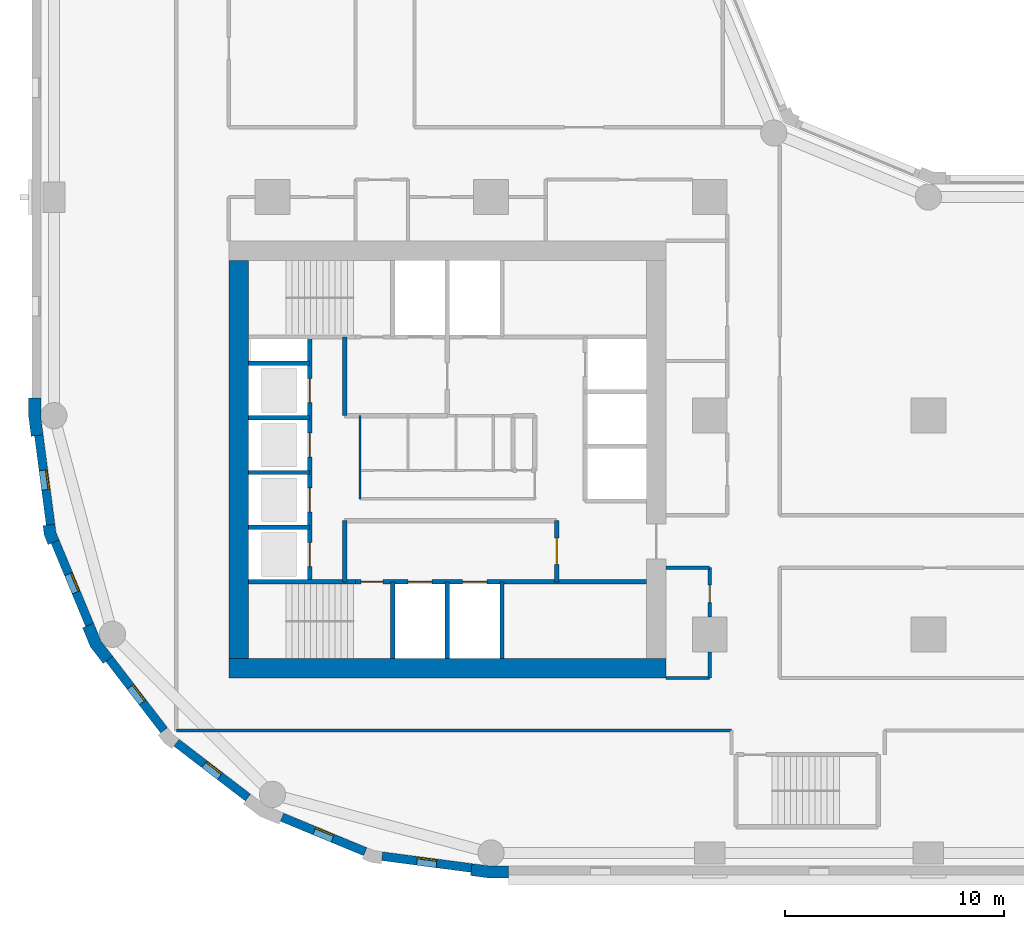
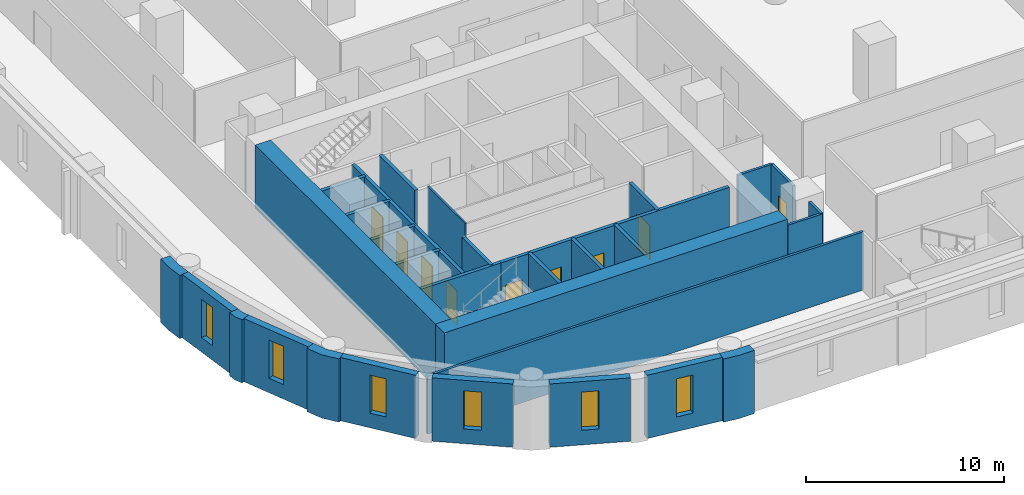
# One storey, part 2 of 10: 31 walls, 9 doors, 6 windows, 15 openings.
"""IFC4 building model written with IfcOpenShell, lengths in metres."""

from ifc_helpers import new_model, si_unit, direction, frame, frame_2d, origin, place, context, subcontext, project, spatial, polyline, rectangle, outline, extrude, material, layer, layer_set, type_object, element, fill, save


model = new_model("IFC4")

# Units and contexts
model_context = context("Model", 3, precision=1e-05, world=origin(), true_north=direction((0.0, 1.0)))
body_context = subcontext(model_context, "Body", "Model", "MODEL_VIEW")
ifc_project = project(units=[si_unit("LENGTHUNIT", "METRE"), si_unit("AREAUNIT", "SQUARE_METRE"), si_unit("VOLUMEUNIT", "CUBIC_METRE"), si_unit("PLANEANGLEUNIT", "RADIAN"), si_unit("MASSUNIT", "GRAM", prefix="KILO")], contexts=[model_context])

# Site, building, storey
site_placement = place(None, origin())
site = spatial("IfcSite", under=ifc_project, at=site_placement, CompositionType="ELEMENT")
building_placement = place(site_placement, origin())
building = spatial("IfcBuilding", under=site, at=building_placement, Name="Qaws Garden Tower", CompositionType="ELEMENT")
storey_placement = place(building_placement, frame((0.0, 0.0, 35.39990234375)))
storey = spatial("IfcBuildingStorey", under=building, at=storey_placement, Name="L08", CompositionType="ELEMENT", Elevation=35.39990234375)

# Wall, opening, window
ifc_material_1 = material(Name="Clay facing brick masonry", Category="masonry")
ifc_layer_1 = layer(ifc_material_1, 0.39990234375)
ifc_layer_set_1 = layer_set([ifc_layer_1], Name="Clay facing brick masonry")
wall_type_1 = type_object("IfcWallType", Name="Brick infill wall 400", PredefinedType="SOLIDWALL", material=ifc_layer_set_1)
wall_1_placement = place(storey_placement, frame((-0.688720703125, 19.102294921875, 0.0), z_axis=(0.0, 0.0, 1.0), x_axis=(0.130514280502, -0.991446429508, 0.0)))
wall_1 = element("IfcWall", 1, at=wall_1_placement, inside=storey, type_object=wall_type_1, Name="E-L08-infill-27", PredefinedType="SOLIDWALL", context=body_context, shape_type="SweptSolid", body=[
    extrude(rectangle(XDim=4.120849609375, YDim=0.39990234375, at=frame_2d((2.060546875, 0.0))), origin(), (0.0, 0.0, 1.0), 3.900146484375),
])
opening_1_placement = place(wall_1_placement, frame((1.610595703125, 0.0, 0.89990234375)))
opening_1 = element("IfcOpeningElement", 2, at=opening_1_placement, cuts=wall_1, Name="Opening W09", PredefinedType="OPENING", context=body_context, shape_type="SweptSolid", body=[
    extrude(rectangle(XDim=0.89990234375, YDim=2.35009765625, at=frame_2d((0.449951171875, 1.175048828125))), frame((0.0, 0.2099609375, 0.0), z_axis=(0.0, -1.0, 0.0), x_axis=(1.0, 0.0, 0.0)), (0.0, 0.0, 1.0), 0.419921875),
])
ifc_material_2 = material(Name="Aluminium framed window, clear glazing", Category="aluminium")
window_type = type_object("IfcWindowType", Name="Slit window 900 x 2350", PartitioningType="SINGLE_PANEL", PredefinedType="WINDOW", material=ifc_material_2)
window_1_placement = place(opening_1_placement, origin())
window_1 = element("IfcWindow", 3, at=window_1_placement, inside=storey, type_object=window_type, Name="E-L08-window-27-0", OverallHeight=2.35009765625, OverallWidth=0.89990234375, PartitioningType="SINGLE_PANEL", PredefinedType="WINDOW", context=body_context, shape_type="SweptSolid", body=[
    extrude(rectangle(XDim=0.89990234375, YDim=2.35009765625, at=frame_2d((0.449951171875, 1.175048828125))), frame((0.0, 0.159912109375, 0.0), z_axis=(0.0, -1.0, 0.0), x_axis=(1.0, 0.0, 0.0)), (0.0, 0.0, 1.0), 0.06005859375),
])
fill(opening_1, window_1)

wall_2_placement = place(storey_placement, frame((0.05712890625, 14.240234375, 0.0), z_axis=(0.0, 0.0, 1.0), x_axis=(0.382721546029, -0.923863744394, 0.0)))
wall_2 = element("IfcWall", 4, at=wall_2_placement, inside=storey, type_object=wall_type_1, Name="E-L08-infill-28", PredefinedType="SOLIDWALL", context=body_context, shape_type="SweptSolid", body=[
    extrude(rectangle(XDim=4.120849609375, YDim=0.39990234375, at=frame_2d((2.060546875, 0.0))), origin(), (0.0, 0.0, 1.0), 3.900146484375),
])
opening_2_placement = place(wall_2_placement, frame((1.610595703125, 0.0, 0.89990234375)))
opening_2 = element("IfcOpeningElement", 5, at=opening_2_placement, cuts=wall_2, Name="Opening W09", PredefinedType="OPENING", context=body_context, shape_type="SweptSolid", body=[
    extrude(rectangle(XDim=0.89990234375, YDim=2.35009765625, at=frame_2d((0.449951171875, 1.175048828125))), frame((0.0, 0.2099609375, 0.0), z_axis=(0.0, -1.0, 0.0), x_axis=(1.0, 0.0, 0.0)), (0.0, 0.0, 1.0), 0.419921875),
])
window_2_placement = place(opening_2_placement, origin())
window_2 = element("IfcWindow", 6, at=window_2_placement, inside=storey, type_object=window_type, Name="E-L08-window-28-0", OverallHeight=2.35009765625, OverallWidth=0.89990234375, PartitioningType="SINGLE_PANEL", PredefinedType="WINDOW", context=body_context, shape_type="SweptSolid", body=[
    extrude(rectangle(XDim=0.89990234375, YDim=2.35009765625, at=frame_2d((0.449951171875, 1.175048828125))), frame((0.0, 0.159912109375, 0.0), z_axis=(0.0, -1.0, 0.0), x_axis=(1.0, 0.0, 0.0)), (0.0, 0.0, 1.0), 0.06005859375),
])
fill(opening_2, window_2)

wall_3_placement = place(storey_placement, frame((2.53173828125, 8.87841796875, 0.0), z_axis=(0.0, 0.0, 1.0), x_axis=(0.608759824817, -0.793354571229, 0.0)))
wall_3 = element("IfcWall", 7, at=wall_3_placement, inside=storey, type_object=wall_type_1, Name="E-L08-infill-29", PredefinedType="SOLIDWALL", context=body_context, shape_type="SweptSolid", body=[
    extrude(rectangle(XDim=4.12109375, YDim=0.39990234375, at=frame_2d((2.060546875, 0.0))), origin(), (0.0, 0.0, 1.0), 3.900146484375),
])
opening_3_placement = place(wall_3_placement, frame((1.610595703125, 0.0, 0.89990234375)))
opening_3 = element("IfcOpeningElement", 8, at=opening_3_placement, cuts=wall_3, Name="Opening W09", PredefinedType="OPENING", context=body_context, shape_type="SweptSolid", body=[
    extrude(rectangle(XDim=0.89990234375, YDim=2.35009765625, at=frame_2d((0.449951171875, 1.175048828125))), frame((0.0, 0.2099609375, 0.0), z_axis=(0.0, -1.0, 0.0), x_axis=(1.0, 0.0, 0.0)), (0.0, 0.0, 1.0), 0.419921875),
])
window_3_placement = place(opening_3_placement, origin())
window_3 = element("IfcWindow", 9, at=window_3_placement, inside=storey, type_object=window_type, Name="E-L08-window-29-0", OverallHeight=2.35009765625, OverallWidth=0.89990234375, PartitioningType="SINGLE_PANEL", PredefinedType="WINDOW", context=body_context, shape_type="SweptSolid", body=[
    extrude(rectangle(XDim=0.89990234375, YDim=2.35009765625, at=frame_2d((0.449951171875, 1.175048828125))), frame((0.0, 0.159912109375, 0.0), z_axis=(0.0, -1.0, 0.0), x_axis=(1.0, 0.0, 0.0)), (0.0, 0.0, 1.0), 0.06005859375),
])
fill(opening_3, window_3)

wall_4_placement = place(storey_placement, frame((5.60888671875, 5.04052734375, 0.0), z_axis=(0.0, 0.0, 1.0), x_axis=(0.793354571229, -0.608759824817, 0.0)))
wall_4 = element("IfcWall", 10, at=wall_4_placement, inside=storey, type_object=wall_type_1, Name="E-L08-infill-30", PredefinedType="SOLIDWALL", context=body_context, shape_type="SweptSolid", body=[
    extrude(rectangle(XDim=4.12109375, YDim=0.39990234375, at=frame_2d((2.060546875, 0.0))), origin(), (0.0, 0.0, 1.0), 3.900146484375),
])
opening_4_placement = place(wall_4_placement, frame((1.610595703125, 0.0, 0.89990234375)))
opening_4 = element("IfcOpeningElement", 11, at=opening_4_placement, cuts=wall_4, Name="Opening W09", PredefinedType="OPENING", context=body_context, shape_type="SweptSolid", body=[
    extrude(rectangle(XDim=0.89990234375, YDim=2.35009765625, at=frame_2d((0.449951171875, 1.175048828125))), frame((0.0, 0.2099609375, 0.0), z_axis=(0.0, -1.0, 0.0), x_axis=(1.0, 0.0, 0.0)), (0.0, 0.0, 1.0), 0.419921875),
])
window_4_placement = place(opening_4_placement, origin())
window_4 = element("IfcWindow", 12, at=window_4_placement, inside=storey, type_object=window_type, Name="E-L08-window-30-0", OverallHeight=2.35009765625, OverallWidth=0.89990234375, PartitioningType="SINGLE_PANEL", PredefinedType="WINDOW", context=body_context, shape_type="SweptSolid", body=[
    extrude(rectangle(XDim=0.89990234375, YDim=2.35009765625, at=frame_2d((0.449951171875, 1.175048828125))), frame((0.0, 0.159912109375, 0.0), z_axis=(0.0, -1.0, 0.0), x_axis=(1.0, 0.0, 0.0)), (0.0, 0.0, 1.0), 0.06005859375),
])
fill(opening_4, window_4)

wall_5_placement = place(storey_placement, frame((10.43310546875, 1.63427734375, 0.0), z_axis=(0.0, 0.0, 1.0), x_axis=(0.923863744394, -0.382721546029, 0.0)))
wall_5 = element("IfcWall", 13, at=wall_5_placement, inside=storey, type_object=wall_type_1, Name="E-L08-infill-31", PredefinedType="SOLIDWALL", context=body_context, shape_type="SweptSolid", body=[
    extrude(rectangle(XDim=4.120849609375, YDim=0.39990234375, at=frame_2d((2.060546875, 0.0))), origin(), (0.0, 0.0, 1.0), 3.900146484375),
])
opening_5_placement = place(wall_5_placement, frame((1.610595703125, 0.0, 0.89990234375)))
opening_5 = element("IfcOpeningElement", 14, at=opening_5_placement, cuts=wall_5, Name="Opening W09", PredefinedType="OPENING", context=body_context, shape_type="SweptSolid", body=[
    extrude(rectangle(XDim=0.89990234375, YDim=2.35009765625, at=frame_2d((0.449951171875, 1.175048828125))), frame((0.0, 0.2099609375, 0.0), z_axis=(0.0, -1.0, 0.0), x_axis=(1.0, 0.0, 0.0)), (0.0, 0.0, 1.0), 0.419921875),
])
window_5_placement = place(opening_5_placement, origin())
window_5 = element("IfcWindow", 15, at=window_5_placement, inside=storey, type_object=window_type, Name="E-L08-window-31-0", OverallHeight=2.35009765625, OverallWidth=0.89990234375, PartitioningType="SINGLE_PANEL", PredefinedType="WINDOW", context=body_context, shape_type="SweptSolid", body=[
    extrude(rectangle(XDim=0.89990234375, YDim=2.35009765625, at=frame_2d((0.449951171875, 1.175048828125))), frame((0.0, 0.159912109375, 0.0), z_axis=(0.0, -1.0, 0.0), x_axis=(1.0, 0.0, 0.0)), (0.0, 0.0, 1.0), 0.06005859375),
])
fill(opening_5, window_5)

wall_6_placement = place(storey_placement, frame((15.0166015625, -0.15087890625, 0.0), z_axis=(0.0, 0.0, 1.0), x_axis=(0.991446429508, -0.130514280502, 0.0)))
wall_6 = element("IfcWall", 16, at=wall_6_placement, inside=storey, type_object=wall_type_1, Name="E-L08-infill-32", PredefinedType="SOLIDWALL", context=body_context, shape_type="SweptSolid", body=[
    extrude(rectangle(XDim=4.120849609375, YDim=0.39990234375, at=frame_2d((2.060546875, 0.0))), origin(), (0.0, 0.0, 1.0), 3.900146484375),
])
opening_6_placement = place(wall_6_placement, frame((1.610595703125, 0.0, 0.89990234375)))
opening_6 = element("IfcOpeningElement", 17, at=opening_6_placement, cuts=wall_6, Name="Opening W09", PredefinedType="OPENING", context=body_context, shape_type="SweptSolid", body=[
    extrude(rectangle(XDim=0.89990234375, YDim=2.35009765625, at=frame_2d((0.449951171875, 1.175048828125))), frame((0.0, 0.2099609375, 0.0), z_axis=(0.0, -1.0, 0.0), x_axis=(1.0, 0.0, 0.0)), (0.0, 0.0, 1.0), 0.419921875),
])
window_6_placement = place(opening_6_placement, origin())
window_6 = element("IfcWindow", 18, at=window_6_placement, inside=storey, type_object=window_type, Name="E-L08-window-32-0", OverallHeight=2.35009765625, OverallWidth=0.89990234375, PartitioningType="SINGLE_PANEL", PredefinedType="WINDOW", context=body_context, shape_type="SweptSolid", body=[
    extrude(rectangle(XDim=0.89990234375, YDim=2.35009765625, at=frame_2d((0.449951171875, 1.175048828125))), frame((0.0, 0.159912109375, 0.0), z_axis=(0.0, -1.0, 0.0), x_axis=(1.0, 0.0, 0.0)), (0.0, 0.0, 1.0), 0.06005859375),
])
fill(opening_6, window_6)

# Walls
ifc_material_3 = material(Name="Clay facing brick masonry", Category="masonry")
ifc_layer_2 = layer(ifc_material_3, 0.550048828125)
ifc_layer_set_2 = layer_set([ifc_layer_2], Name="Clay facing brick masonry")
wall_type_2 = type_object("IfcWallType", Name="Brick kink pier 550 x 600", PredefinedType="SOLIDWALL", material=ifc_layer_set_2)
placement = place(storey_placement, origin())
element("IfcWall", 19, at=placement, inside=storey, type_object=wall_type_2, Name="E-L08-pier-28", PredefinedType="SOLIDWALL", context=body_context, shape_type="SweptSolid", body=[
    extrude(outline(polyline([(-0.34912109375, 14.990478515625), (-0.497802734375, 14.970947265625), (-0.43896484375, 14.5234375), (-0.26611328125, 14.1064453125), (-0.127685546875, 14.163818359375), (0.241943359375, 14.31689453125), (0.096923828125, 14.6669921875), (0.04736328125, 15.042724609375), (-0.34912109375, 14.990478515625)])), origin(), (0.0, 0.0, 1.0), 3.900146484375),
])
ifc_material_4 = material(Name="Clay facing brick masonry", Category="masonry")
ifc_layer_3 = layer(ifc_material_4, 0.550048828125)
ifc_layer_set_3 = layer_set([ifc_layer_3], Name="Clay facing brick masonry")
wall_type_3 = type_object("IfcWallType", Name="Brick pier 550 x 1600", PredefinedType="SOLIDWALL", material=ifc_layer_set_3)
element("IfcWall", 20, at=placement, inside=storey, type_object=wall_type_3, Name="E-L08-pier-00", PredefinedType="SOLIDWALL", context=body_context, shape_type="SweptSolid", body=[
    extrude(outline(polyline([(19.076416015625, -0.886962890625), (19.056640625, -1.03564453125), (19.924560546875, -1.14990234375), (20.800048828125, -1.14990234375), (20.800048828125, -1.0), (20.800048828125, -0.60009765625), (19.960693359375, -0.60009765625), (19.12841796875, -0.490478515625), (19.076416015625, -0.886962890625)])), origin(), (0.0, 0.0, 1.0), 3.900146484375),
])
element("IfcWall", 21, at=placement, inside=storey, type_object=wall_type_3, Name="E-L08-pier-27", PredefinedType="SOLIDWALL", context=body_context, shape_type="SweptSolid", body=[
    extrude(outline(polyline([(-1.0, 20.800048828125), (-1.14990234375, 20.800048828125), (-1.14990234375, 19.924560546875), (-1.03564453125, 19.056640625), (-0.886962890625, 19.076416015625), (-0.490478515625, 19.12841796875), (-0.60009765625, 19.960693359375), (-0.60009765625, 20.800048828125), (-1.0, 20.800048828125)])), origin(), (0.0, 0.0, 1.0), 3.900146484375),
])
element("IfcWall", 22, at=placement, inside=storey, type_object=wall_type_3, Name="E-L08-pier-29", PredefinedType="SOLIDWALL", context=body_context, shape_type="SweptSolid", body=[
    extrude(outline(polyline([(1.449462890625, 10.3564453125), (1.310791015625, 10.299072265625), (1.675048828125, 9.419921875), (2.254150390625, 8.665283203125), (2.373046875, 8.756591796875), (2.6904296875, 9.0), (2.1552734375, 9.697509765625), (1.819091796875, 10.509521484375), (1.449462890625, 10.3564453125)])), origin(), (0.0, 0.0, 1.0), 3.900146484375),
])
ifc_material_5 = material(Name="Plasterboard")
ifc_layer_4 = layer(ifc_material_5, 0.10009765625)
ifc_layer_set_4 = layer_set([ifc_layer_4], Name="Plasterboard")
wall_type_4 = type_object("IfcWallType", Name="Core partition 100", PredefinedType="PARTITIONING", material=ifc_layer_set_4)
wall_11_placement = place(storey_placement, frame((14.0, 16.199951171875, 0.0), z_axis=(0.0, 0.0, 1.0), x_axis=(0.0, 1.0, 0.0)))
element("IfcWall", 23, at=wall_11_placement, inside=storey, type_object=wall_type_4, Name="Core partition", PredefinedType="PARTITIONING", context=body_context, shape_type="SweptSolid", body=[
    extrude(rectangle(XDim=3.800048828125, YDim=0.10009765625, at=frame_2d((1.89990234375, 0.0))), origin(), (0.0, 0.0, 1.0), 3.580078125),
])
ifc_material_6 = material(Name="Concrete C80", Category="concrete")
ifc_layer_5 = layer(ifc_material_6, 0.199951171875)
ifc_layer_set_5 = layer_set([ifc_layer_5], Name="Concrete C80")
wall_type_5 = type_object("IfcWallType", Name="Core shaft wall 200 C80", PredefinedType="SHEAR", material=ifc_layer_set_5)
wall_12_placement = place(storey_placement, frame((8.89990234375, 12.39990234375, 0.0), z_axis=(0.0, 0.0, 1.0), x_axis=(1.0, 0.0, 0.0)))
element("IfcWall", 24, at=wall_12_placement, inside=storey, type_object=wall_type_5, Name="Shaft wall", PredefinedType="SHEAR", context=body_context, shape_type="SweptSolid", body=[
    extrude(rectangle(XDim=4.900146484375, YDim=0.199951171875, at=frame_2d((2.4501953125, 0.0))), origin(), (0.0, 0.0, 1.0), 3.580078125),
])

# Wall, openings, doors
wall_13_placement = place(storey_placement, frame((13.800048828125, 12.39990234375, 0.0), z_axis=(0.0, 0.0, 1.0), x_axis=(1.0, 0.0, 0.0)))
wall_13 = element("IfcWall", 25, at=wall_13_placement, inside=storey, type_object=wall_type_5, Name="Shaft wall", PredefinedType="SHEAR", context=body_context, shape_type="SweptSolid", body=[
    extrude(rectangle(XDim=13.300048828125, YDim=0.199951171875, at=frame_2d((6.64990234375, 0.0))), origin(), (0.0, 0.0, 1.0), 3.580078125),
])
opening_7_placement = place(wall_13_placement, frame((2.39990234375, 0.0, 0.0)))
opening_7 = element("IfcOpeningElement", 26, at=opening_7_placement, cuts=wall_13, Name="Opening LD06", PredefinedType="OPENING", context=body_context, shape_type="SweptSolid", body=[
    extrude(rectangle(XDim=1.10009765625, YDim=2.10009765625, at=frame_2d((0.550048828125, 1.050048828125))), frame((0.0, 0.10986328125, 0.0), z_axis=(0.0, -1.0, 0.0), x_axis=(1.0, 0.0, 0.0)), (0.0, 0.0, 1.0), 0.219970703125),
])
opening_8_placement = place(wall_13_placement, frame((4.89990234375, 0.0, 0.0)))
opening_8 = element("IfcOpeningElement", 27, at=opening_8_placement, cuts=wall_13, Name="Opening LD07", PredefinedType="OPENING", context=body_context, shape_type="SweptSolid", body=[
    extrude(rectangle(XDim=1.10009765625, YDim=2.10009765625, at=frame_2d((0.550048828125, 1.050048828125))), frame((0.0, 0.10986328125, 0.0), z_axis=(0.0, -1.0, 0.0), x_axis=(1.0, 0.0, 0.0)), (0.0, 0.0, 1.0), 0.219970703125),
])
opening_9_placement = place(wall_13_placement, frame((0.25, 0.0, 0.0)))
opening_9 = element("IfcOpeningElement", 28, at=opening_9_placement, cuts=wall_13, Name="Opening SD10", PredefinedType="OPENING", context=body_context, shape_type="SweptSolid", body=[
    extrude(rectangle(XDim=1.0, YDim=2.10009765625, at=frame_2d((0.5, 1.050048828125))), frame((0.0, 0.10986328125, 0.0), z_axis=(0.0, -1.0, 0.0), x_axis=(1.0, 0.0, 0.0)), (0.0, 0.0, 1.0), 0.219970703125),
])
ifc_material_7 = material(Name="Steel S235", Category="steel")
door_type_1 = type_object("IfcDoorType", Name="Landing door 1100x2100", OperationType="DOUBLE_DOOR_SLIDING", PredefinedType="DOOR", material=ifc_material_7)
door_1_placement = place(opening_7_placement, origin())
door_1 = element("IfcDoor", 29, at=door_1_placement, inside=storey, type_object=door_type_1, Name="Lift FF1 landing door", OperationType="DOUBLE_DOOR_SLIDING", OverallHeight=2.10009765625, OverallWidth=1.10009765625, PredefinedType="DOOR", context=body_context, shape_type="SweptSolid", body=[
    extrude(rectangle(XDim=1.10009765625, YDim=2.10009765625, at=frame_2d((0.550048828125, 1.050048828125))), frame((0.0, 0.02490234375, 0.0), z_axis=(0.0, -1.0, 0.0), x_axis=(1.0, 0.0, 0.0)), (0.0, 0.0, 1.0), 0.050048828125),
])
fill(opening_7, door_1)
door_2_placement = place(opening_8_placement, origin())
door_2 = element("IfcDoor", 30, at=door_2_placement, inside=storey, type_object=door_type_1, Name="Lift FF2 landing door", OperationType="DOUBLE_DOOR_SLIDING", OverallHeight=2.10009765625, OverallWidth=1.10009765625, PredefinedType="DOOR", context=body_context, shape_type="SweptSolid", body=[
    extrude(rectangle(XDim=1.10009765625, YDim=2.10009765625, at=frame_2d((0.550048828125, 1.050048828125))), frame((0.0, 0.02490234375, 0.0), z_axis=(0.0, -1.0, 0.0), x_axis=(1.0, 0.0, 0.0)), (0.0, 0.0, 1.0), 0.050048828125),
])
fill(opening_8, door_2)
ifc_material_8 = material(Name="Steel S235", Category="steel")
door_type_2 = type_object("IfcDoorType", Name="Stair door 1000x2100", OperationType="SINGLE_SWING_RIGHT", PredefinedType="DOOR", material=ifc_material_8)
door_3_placement = place(opening_9_placement, frame((1.0, 0.0, 0.0), z_axis=(0.0, 0.0, 1.0), x_axis=(-1.0, 0.0, 0.0)))
door_3 = element("IfcDoor", 31, at=door_3_placement, inside=storey, type_object=door_type_2, Name="Stair 1 door", OperationType="SINGLE_SWING_LEFT", OverallHeight=2.10009765625, OverallWidth=1.0, PredefinedType="DOOR", context=body_context, shape_type="SweptSolid", body=[
    extrude(rectangle(XDim=1.0, YDim=2.10009765625, at=frame_2d((0.5, 1.050048828125))), frame((0.0, 0.02490234375, 0.0), z_axis=(0.0, -1.0, 0.0), x_axis=(1.0, 0.0, 0.0)), (0.0, 0.0, 1.0), 0.050048828125),
])
fill(opening_9, door_3)

# Walls
for number, where, z_axis, x_axis, name in (
    (32, (8.89990234375, 14.89990234375, 0.0), (0.0, 0.0, 1.0), (1.0, 0.0, 0.0), "Shaft wall"),
    (33, (8.89990234375, 17.39990234375, 0.0), (0.0, 0.0, 1.0), (1.0, 0.0, 0.0), "Shaft wall"),
    (34, (8.89990234375, 19.89990234375, 0.0), (0.0, 0.0, 1.0), (1.0, 0.0, 0.0), "Shaft wall"),
    (35, (8.89990234375, 22.39990234375, 0.0), (0.0, 0.0, 1.0), (1.0, 0.0, 0.0), "Shaft wall"),
):
    element("IfcWall", number, at=place(storey_placement, frame(where, z_axis=z_axis, x_axis=x_axis)), inside=storey, type_object=wall_type_5, Name=name, PredefinedType="SHEAR", context=body_context, shape_type="SweptSolid", body=[
        extrude(rectangle(XDim=2.800048828125, YDim=0.199951171875, at=frame_2d((1.39990234375, 0.0))), origin(), (0.0, 0.0, 1.0), 3.580078125),
    ])

# Wall, openings, doors
wall_14_placement = place(storey_placement, frame((11.699951171875, 12.39990234375, 0.0), z_axis=(0.0, 0.0, 1.0), x_axis=(0.0, 1.0, 0.0)))
wall_14 = element("IfcWall", 36, at=wall_14_placement, inside=storey, type_object=wall_type_5, Name="Shaft wall", PredefinedType="SHEAR", context=body_context, shape_type="SweptSolid", body=[
    extrude(rectangle(XDim=11.2001953125, YDim=0.199951171875, at=frame_2d((5.60009765625, 0.0))), origin(), (0.0, 0.0, 1.0), 3.580078125),
])
opening_10_placement = place(wall_14_placement, frame((0.699951171875, 0.0, 0.0)))
opening_10 = element("IfcOpeningElement", 37, at=opening_10_placement, cuts=wall_14, Name="Opening LD01", PredefinedType="OPENING", context=body_context, shape_type="SweptSolid", body=[
    extrude(rectangle(XDim=1.10009765625, YDim=2.10009765625, at=frame_2d((0.550048828125, 1.050048828125))), frame((0.0, 0.10986328125, 0.0), z_axis=(0.0, -1.0, 0.0), x_axis=(1.0, 0.0, 0.0)), (0.0, 0.0, 1.0), 0.219970703125),
])
opening_11_placement = place(wall_14_placement, frame((3.199951171875, 0.0, 0.0)))
opening_11 = element("IfcOpeningElement", 38, at=opening_11_placement, cuts=wall_14, Name="Opening LD02", PredefinedType="OPENING", context=body_context, shape_type="SweptSolid", body=[
    extrude(rectangle(XDim=1.10009765625, YDim=2.10009765625, at=frame_2d((0.550048828125, 1.050048828125))), frame((0.0, 0.10986328125, 0.0), z_axis=(0.0, -1.0, 0.0), x_axis=(1.0, 0.0, 0.0)), (0.0, 0.0, 1.0), 0.219970703125),
])
opening_12_placement = place(wall_14_placement, frame((5.699951171875, 0.0, 0.0)))
opening_12 = element("IfcOpeningElement", 39, at=opening_12_placement, cuts=wall_14, Name="Opening LD03", PredefinedType="OPENING", context=body_context, shape_type="SweptSolid", body=[
    extrude(rectangle(XDim=1.10009765625, YDim=2.10009765625, at=frame_2d((0.550048828125, 1.050048828125))), frame((0.0, 0.10986328125, 0.0), z_axis=(0.0, -1.0, 0.0), x_axis=(1.0, 0.0, 0.0)), (0.0, 0.0, 1.0), 0.219970703125),
])
opening_13_placement = place(wall_14_placement, frame((8.199951171875, 0.0, 0.0)))
opening_13 = element("IfcOpeningElement", 40, at=opening_13_placement, cuts=wall_14, Name="Opening LD04", PredefinedType="OPENING", context=body_context, shape_type="SweptSolid", body=[
    extrude(rectangle(XDim=1.10009765625, YDim=2.10009765625, at=frame_2d((0.550048828125, 1.050048828125))), frame((0.0, 0.10986328125, 0.0), z_axis=(0.0, -1.0, 0.0), x_axis=(1.0, 0.0, 0.0)), (0.0, 0.0, 1.0), 0.219970703125),
])
door_4_placement = place(opening_10_placement, origin())
door_4 = element("IfcDoor", 41, at=door_4_placement, inside=storey, type_object=door_type_1, Name="Lift W1 landing door", OperationType="DOUBLE_DOOR_SLIDING", OverallHeight=2.10009765625, OverallWidth=1.10009765625, PredefinedType="DOOR", context=body_context, shape_type="SweptSolid", body=[
    extrude(rectangle(XDim=1.10009765625, YDim=2.10009765625, at=frame_2d((0.550048828125, 1.050048828125))), frame((0.0, 0.02490234375, 0.0), z_axis=(0.0, -1.0, 0.0), x_axis=(1.0, 0.0, 0.0)), (0.0, 0.0, 1.0), 0.050048828125),
])
fill(opening_10, door_4)
door_5_placement = place(opening_11_placement, origin())
door_5 = element("IfcDoor", 42, at=door_5_placement, inside=storey, type_object=door_type_1, Name="Lift W2 landing door", OperationType="DOUBLE_DOOR_SLIDING", OverallHeight=2.10009765625, OverallWidth=1.10009765625, PredefinedType="DOOR", context=body_context, shape_type="SweptSolid", body=[
    extrude(rectangle(XDim=1.10009765625, YDim=2.10009765625, at=frame_2d((0.550048828125, 1.050048828125))), frame((0.0, 0.02490234375, 0.0), z_axis=(0.0, -1.0, 0.0), x_axis=(1.0, 0.0, 0.0)), (0.0, 0.0, 1.0), 0.050048828125),
])
fill(opening_11, door_5)
door_6_placement = place(opening_12_placement, origin())
door_6 = element("IfcDoor", 43, at=door_6_placement, inside=storey, type_object=door_type_1, Name="Lift W3 landing door", OperationType="DOUBLE_DOOR_SLIDING", OverallHeight=2.10009765625, OverallWidth=1.10009765625, PredefinedType="DOOR", context=body_context, shape_type="SweptSolid", body=[
    extrude(rectangle(XDim=1.10009765625, YDim=2.10009765625, at=frame_2d((0.550048828125, 1.050048828125))), frame((0.0, 0.02490234375, 0.0), z_axis=(0.0, -1.0, 0.0), x_axis=(1.0, 0.0, 0.0)), (0.0, 0.0, 1.0), 0.050048828125),
])
fill(opening_12, door_6)
door_7_placement = place(opening_13_placement, origin())
door_7 = element("IfcDoor", 44, at=door_7_placement, inside=storey, type_object=door_type_1, Name="Lift W4 landing door", OperationType="DOUBLE_DOOR_SLIDING", OverallHeight=2.10009765625, OverallWidth=1.10009765625, PredefinedType="DOOR", context=body_context, shape_type="SweptSolid", body=[
    extrude(rectangle(XDim=1.10009765625, YDim=2.10009765625, at=frame_2d((0.550048828125, 1.050048828125))), frame((0.0, 0.02490234375, 0.0), z_axis=(0.0, -1.0, 0.0), x_axis=(1.0, 0.0, 0.0)), (0.0, 0.0, 1.0), 0.050048828125),
])
fill(opening_13, door_7)

# Walls
wall_15_placement = place(storey_placement, frame((13.300048828125, 12.39990234375, 0.0), z_axis=(0.0, 0.0, 1.0), x_axis=(0.0, 1.0, 0.0)))
element("IfcWall", 45, at=wall_15_placement, inside=storey, type_object=wall_type_5, Name="Shaft wall", PredefinedType="SHEAR", context=body_context, shape_type="SweptSolid", body=[
    extrude(rectangle(XDim=2.800048828125, YDim=0.199951171875, at=frame_2d((1.39990234375, 0.0))), origin(), (0.0, 0.0, 1.0), 3.580078125),
])
wall_16_placement = place(storey_placement, frame((13.300048828125, 20.0, 0.0), z_axis=(0.0, 0.0, 1.0), x_axis=(0.0, 1.0, 0.0)))
element("IfcWall", 46, at=wall_16_placement, inside=storey, type_object=wall_type_5, Name="Shaft wall", PredefinedType="SHEAR", context=body_context, shape_type="SweptSolid", body=[
    extrude(rectangle(XDim=3.60009765625, YDim=0.199951171875, at=frame_2d((1.800048828125, 0.0))), origin(), (0.0, 0.0, 1.0), 3.580078125),
])
for number, where, z_axis, x_axis, name in (
    (47, (15.5, 8.89990234375, 0.0), (0.0, 0.0, 1.0), (0.0, 1.0, 0.0), "Shaft wall"),
    (48, (18.0, 8.89990234375, 0.0), (0.0, 0.0, 1.0), (0.0, 1.0, 0.0), "Shaft wall"),
    (49, (20.5, 8.89990234375, 0.0), (0.0, 0.0, 1.0), (0.0, 1.0, 0.0), "Shaft wall"),
):
    element("IfcWall", number, at=place(storey_placement, frame(where, z_axis=z_axis, x_axis=x_axis)), inside=storey, type_object=wall_type_5, Name=name, PredefinedType="SHEAR", context=body_context, shape_type="SweptSolid", body=[
        extrude(rectangle(XDim=3.5, YDim=0.199951171875, at=frame_2d((1.75, 0.0))), origin(), (0.0, 0.0, 1.0), 3.580078125),
    ])

# Wall, opening, door
wall_17_placement = place(storey_placement, frame((23.0, 12.39990234375, 0.0), z_axis=(0.0, 0.0, 1.0), x_axis=(0.0, 1.0, 0.0)))
wall_17 = element("IfcWall", 50, at=wall_17_placement, inside=storey, type_object=wall_type_5, Name="Shaft wall", PredefinedType="SHEAR", context=body_context, shape_type="SweptSolid", body=[
    extrude(rectangle(XDim=2.800048828125, YDim=0.199951171875, at=frame_2d((1.39990234375, 0.0))), origin(), (0.0, 0.0, 1.0), 3.580078125),
])
opening_14_placement = place(wall_17_placement, frame((0.800048828125, 0.0, 0.0)))
opening_14 = element("IfcOpeningElement", 51, at=opening_14_placement, cuts=wall_17, Name="Opening FD15", PredefinedType="OPENING", context=body_context, shape_type="SweptSolid", body=[
    extrude(rectangle(XDim=1.199951171875, YDim=2.10009765625, at=frame_2d((0.60009765625, 1.050048828125))), frame((0.0, 0.10986328125, 0.0), z_axis=(0.0, -1.0, 0.0), x_axis=(1.0, 0.0, 0.0)), (0.0, 0.0, 1.0), 0.219970703125),
])
ifc_material_9 = material(Name="Steel S235", Category="steel")
door_type_3 = type_object("IfcDoorType", Name="Lobby door 1200x2100", OperationType="DOUBLE_DOOR_SINGLE_SWING", PredefinedType="DOOR", material=ifc_material_9)
door_8_placement = place(opening_14_placement, origin())
door_8 = element("IfcDoor", 52, at=door_8_placement, inside=storey, type_object=door_type_3, Name="Fire-fighting lobby door", OperationType="DOUBLE_DOOR_SINGLE_SWING", OverallHeight=2.10009765625, OverallWidth=1.199951171875, PredefinedType="DOOR", context=body_context, shape_type="SweptSolid", body=[
    extrude(rectangle(XDim=1.199951171875, YDim=2.10009765625, at=frame_2d((0.60009765625, 1.050048828125))), frame((0.0, 0.02490234375, 0.0), z_axis=(0.0, -1.0, 0.0), x_axis=(1.0, 0.0, 0.0)), (0.0, 0.0, 1.0), 0.050048828125),
])
fill(opening_14, door_8)

# Walls
ifc_material_10 = material(Name="Concrete C80", Category="concrete")
ifc_layer_6 = layer(ifc_material_10, 0.89990234375)
ifc_layer_set_6 = layer_set([ifc_layer_6], Name="Concrete C80")
wall_type_6 = type_object("IfcWallType", Name="Core wall 900 C80", PredefinedType="SHEAR", material=ifc_layer_set_6)
wall_18_placement = place(storey_placement, frame((8.0, 8.449951171875, 0.0), z_axis=(0.0, 0.0, 1.0), x_axis=(1.0, 0.0, 0.0)))
element("IfcWall", 53, at=wall_18_placement, inside=storey, type_object=wall_type_6, Name="Core wall L08 south", PredefinedType="SHEAR", context=body_context, shape_type="SweptSolid", body=[
    extrude(rectangle(XDim=20.0, YDim=0.89990234375, at=frame_2d((10.0, 0.0))), origin(), (0.0, 0.0, 1.0), 3.900146484375),
])
wall_19_placement = place(storey_placement, frame((8.449951171875, 27.10009765625, 0.0), z_axis=(0.0, 0.0, 1.0), x_axis=(0.0, -1.0, 0.0)))
element("IfcWall", 54, at=wall_19_placement, inside=storey, type_object=wall_type_6, Name="Core wall L08 west", PredefinedType="SHEAR", context=body_context, shape_type="SweptSolid", body=[
    extrude(rectangle(XDim=18.2001953125, YDim=0.89990234375, at=frame_2d((9.10009765625, 0.0))), origin(), (0.0, 0.0, 1.0), 3.900146484375),
])
ifc_material_11 = material(Name="Gypsum board partition")
ifc_layer_7 = layer(ifc_material_11, 0.14990234375)
ifc_layer_set_7 = layer_set([ifc_layer_7], Name="Gypsum board partition")
wall_type_7 = type_object("IfcWallType", Name="PARTITION 150 EI 60", PredefinedType="PARTITIONING", material=ifc_layer_set_7)
wall_20_placement = place(storey_placement, frame((30.0, 8.0, 0.0), z_axis=(0.0, 0.0, 1.0), x_axis=(0.0, 1.0, 0.0)))
element("IfcWall", 55, at=wall_20_placement, inside=storey, type_object=wall_type_7, Name="O-L08-wall-013", PredefinedType="PARTITIONING", context=body_context, shape_type="SweptSolid", body=[
    extrude(rectangle(XDim=1.199951171875, YDim=0.14990234375, at=frame_2d((0.60009765625, 0.0))), origin(), (0.0, 0.0, 1.0), 3.580078125),
])

# Wall, opening, door
wall_21_placement = place(storey_placement, frame((30.0, 10.800048828125, 0.0), z_axis=(0.0, 0.0, 1.0), x_axis=(0.0, 1.0, 0.0)))
wall_21 = element("IfcWall", 56, at=wall_21_placement, inside=storey, type_object=wall_type_7, Name="O-L08-wall-014", PredefinedType="PARTITIONING", context=body_context, shape_type="SweptSolid", body=[
    extrude(rectangle(XDim=2.25, YDim=0.14990234375, at=frame_2d((1.125, 0.0))), origin(), (0.0, 0.0, 1.0), 3.580078125),
])
opening_15_placement = place(wall_21_placement, frame((0.64990234375, 0.0, 0.0)))
opening_15 = element("IfcOpeningElement", 57, at=opening_15_placement, cuts=wall_21, Name="Opening A317", PredefinedType="OPENING", context=body_context, shape_type="SweptSolid", body=[
    extrude(rectangle(XDim=0.800048828125, YDim=2.10009765625, at=frame_2d((0.39990234375, 1.050048828125))), frame((0.0, 0.0849609375, 0.0), z_axis=(0.0, -1.0, 0.0), x_axis=(1.0, 0.0, 0.0)), (0.0, 0.0, 1.0), 0.169921875),
])
ifc_material_12 = material(Name="Timber door leaf", Category="wood")
door_type_4 = type_object("IfcDoorType", Name="STORE DOOR 800 X 2100", OperationType="SINGLE_SWING_LEFT", PredefinedType="DOOR", material=ifc_material_12)
door_9_placement = place(opening_15_placement, origin())
door_9 = element("IfcDoor", 58, at=door_9_placement, inside=storey, type_object=door_type_4, Name="O-L08-door-017", OperationType="SINGLE_SWING_LEFT", OverallHeight=2.10009765625, OverallWidth=0.800048828125, PredefinedType="DOOR", context=body_context, shape_type="SweptSolid", body=[
    extrude(rectangle(XDim=0.800048828125, YDim=2.10009765625, at=frame_2d((0.39990234375, 1.050048828125))), frame((0.0, 0.02490234375, 0.0), z_axis=(0.0, -1.0, 0.0), x_axis=(1.0, 0.0, 0.0)), (0.0, 0.0, 1.0), 0.050048828125),
])
fill(opening_15, door_9)

# Walls
wall_22_placement = place(storey_placement, frame((5.60009765625, 5.60009765625, 0.0), z_axis=(0.0, 0.0, 1.0), x_axis=(1.0, 0.0, 0.0)))
element("IfcWall", 59, at=wall_22_placement, inside=storey, type_object=wall_type_7, Name="O-L08-wall-031", PredefinedType="PARTITIONING", context=body_context, shape_type="SweptSolid", body=[
    extrude(rectangle(XDim=25.39990234375, YDim=0.14990234375, at=frame_2d((12.699951171875, 0.0))), origin(), (0.0, 0.0, 1.0), 3.580078125),
])
for number, where, z_axis, x_axis, name in (
    (60, (28.0, 8.0, 0.0), (0.0, 0.0, 1.0), (1.0, 0.0, 0.0), "O-L08-wall-033"),
    (61, (28.0, 13.050048828125, 0.0), (0.0, 0.0, 1.0), (1.0, 0.0, 0.0), "O-L08-wall-035"),
):
    element("IfcWall", number, at=place(storey_placement, frame(where, z_axis=z_axis, x_axis=x_axis)), inside=storey, type_object=wall_type_7, Name=name, PredefinedType="PARTITIONING", context=body_context, shape_type="SweptSolid", body=[
        extrude(rectangle(XDim=2.0, YDim=0.14990234375, at=frame_2d((1.0, 0.0))), origin(), (0.0, 0.0, 1.0), 3.580078125),
    ])

save(model, "model.ifc")
